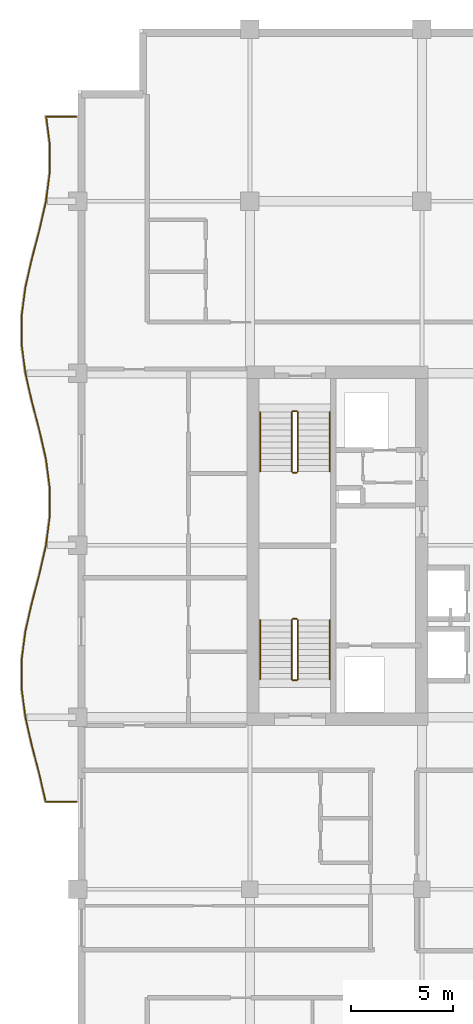
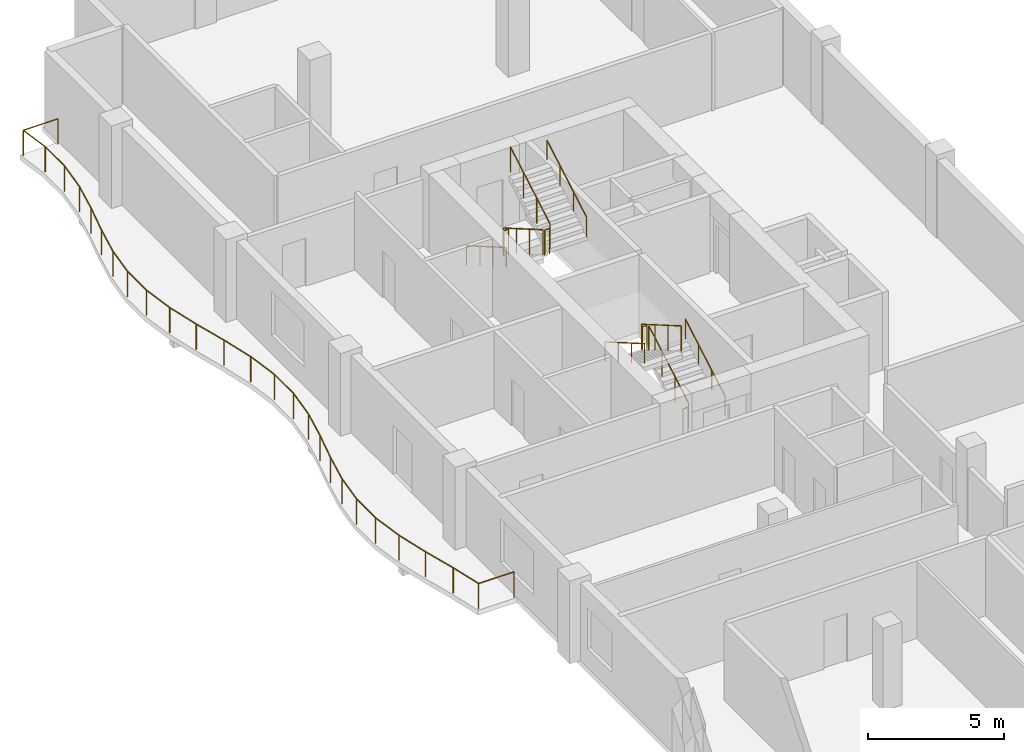
# One storey, part 12 of 12: 13 railings.
"""IFC4 building model written with IfcOpenShell, lengths in metres."""

from ifc_helpers import new_model, si_unit, direction, frame, origin, origin_2d, place, context, subcontext, project, spatial, circle, extrude, material, type_object, element, save


model = new_model("IFC4")

# Units and contexts
model_context = context("Model", 3, precision=1e-05, world=origin(), true_north=direction((0.0, 1.0)))
body_context = subcontext(model_context, "Body", "Model", "MODEL_VIEW")
ifc_project = project(units=[si_unit("LENGTHUNIT", "METRE"), si_unit("AREAUNIT", "SQUARE_METRE"), si_unit("VOLUMEUNIT", "CUBIC_METRE"), si_unit("PLANEANGLEUNIT", "RADIAN"), si_unit("MASSUNIT", "GRAM", prefix="KILO")], contexts=[model_context])

# Site, building, storey
site_placement = place(None, origin())
site = spatial("IfcSite", under=ifc_project, at=site_placement, CompositionType="ELEMENT")
building_placement = place(site_placement, origin())
building = spatial("IfcBuilding", under=site, at=building_placement, Name="Koriwani Terraces Tower", CompositionType="ELEMENT")
storey_placement = place(building_placement, frame((0.0, 0.0, 271.199951171875)))
storey = spatial("IfcBuildingStorey", under=building, at=storey_placement, Name="L67", CompositionType="ELEMENT", Elevation=271.199951171875)

# Railings
ifc_material = material(Name="Steel ASTM A572 Grade 50", Category="steel")
railing_type_1 = type_object("IfcRailingType", Name="GUARD_BALUSTRADE_1150", PredefinedType="BALUSTRADE", material=ifc_material)
railing_1_placement = place(storey_placement, frame((8.320068359375, 37.8798828125, 0.0)))
element("IfcRailing", 1, at=railing_1_placement, inside=storey, type_object=railing_type_1, Name="L67 Balcony Perimeter Safety Balustrade (W)", PredefinedType="BALUSTRADE", context=body_context, shape_type="SweptSolid", body=[
    extrude(circle(Radius=0.02392578125, at=origin_2d()), frame((0.0, 0.0, 1.1259765625), z_axis=(-1.0, 0.0, 0.0), x_axis=(0.0, -1.0, 0.0)), (0.0, 0.0, 1.0), 1.494140625),
    extrude(circle(Radius=0.02392578125, at=origin_2d()), frame((-1.494140625, 0.0, 1.1259765625), z_axis=(-0.221690258665, 0.97511713615, 0.0), x_axis=(-0.97511713615, -0.221690258665, 0.0)), (0.0, 0.0, 1.0), 1.373291015625),
    extrude(circle(Radius=0.02392578125, at=origin_2d()), frame((-1.798583984375, 1.339111328125, 1.1259765625), z_axis=(-0.254028314271, 0.967196782226, 0.0), x_axis=(-0.967196782226, -0.254028314271, 0.0)), (0.0, 0.0, 1.0), 1.447265625),
    extrude(circle(Radius=0.02392578125, at=origin_2d()), frame((-2.166259765625, 2.739013671875, 1.1259765625), z_axis=(-0.221480974814, 0.975164692652, 0.0), x_axis=(-0.975164692652, -0.221480974814, 0.0)), (0.0, 0.0, 1.0), 1.430908203125),
    extrude(circle(Radius=0.02392578125, at=origin_2d()), frame((-2.483154296875, 4.13427734375, 1.1259765625), z_axis=(-0.130157426935, 0.991493340479, 0.0), x_axis=(-0.991493340479, -0.130157426935, 0.0)), (0.0, 0.0, 1.0), 1.403076171875),
    extrude(circle(Radius=0.02392578125, at=origin_2d()), frame((-2.665771484375, 5.525390625, 1.1259765625), z_axis=(0.0, 1.0, 0.0), x_axis=(-1.0, 0.0, 0.0)), (0.0, 0.0, 1.0), 1.3896484375),
    extrude(circle(Radius=0.02392578125, at=origin_2d()), frame((-2.665771484375, 6.9150390625, 1.1259765625), z_axis=(0.130179886452, 0.991490391866, 0.0), x_axis=(-0.991490391866, 0.130179886452, 0.0)), (0.0, 0.0, 1.0), 1.40283203125),
    extrude(circle(Radius=0.02392578125, at=origin_2d()), frame((-2.483154296875, 8.305908203125, 1.1259765625), z_axis=(0.221480974814, 0.975164692652, 0.0), x_axis=(-0.975164692652, 0.221480974814, 0.0)), (0.0, 0.0, 1.0), 1.430908203125),
    extrude(circle(Radius=0.02392578125, at=origin_2d()), frame((-2.166259765625, 9.701171875, 1.1259765625), z_axis=(0.254028314271, 0.967196782226, 0.0), x_axis=(-0.967196782226, 0.254028314271, 0.0)), (0.0, 0.0, 1.0), 1.447265625),
    extrude(circle(Radius=0.02392578125, at=origin_2d()), frame((-1.798583984375, 11.10107421875, 1.1259765625), z_axis=(0.221628427149, 0.975131191317, 0.0), x_axis=(-0.975131191317, 0.221628427149, 0.0)), (0.0, 0.0, 1.0), 1.44091796875),
    extrude(circle(Radius=0.02392578125, at=origin_2d()), frame((-1.479248046875, 12.506103515625, 1.1259765625), z_axis=(0.12989004906, 0.991528403605, 0.0), x_axis=(-0.991528403605, 0.12989004906, 0.0)), (0.0, 0.0, 1.0), 1.4208984375),
    extrude(circle(Radius=0.02392578125, at=origin_2d()), frame((-1.294677734375, 13.9150390625, 1.1259765625), z_axis=(0.0, 1.0, 0.0), x_axis=(-1.0, 0.0, 0.0)), (0.0, 0.0, 1.0), 1.41015625),
    extrude(circle(Radius=0.02392578125, at=origin_2d()), frame((-1.294677734375, 15.3251953125, 1.1259765625), z_axis=(-0.12989004906, 0.991528403605, 0.0), x_axis=(-0.991528403605, -0.12989004906, 0.0)), (0.0, 0.0, 1.0), 1.4208984375),
    extrude(circle(Radius=0.02392578125, at=origin_2d()), frame((-1.479248046875, 16.734130859375, 1.1259765625), z_axis=(-0.221628427149, 0.975131191317, 0.0), x_axis=(-0.975131191317, -0.221628427149, 0.0)), (0.0, 0.0, 1.0), 1.44091796875),
    extrude(circle(Radius=0.02392578125, at=origin_2d()), frame((-1.798583984375, 18.13916015625, 1.1259765625), z_axis=(-0.254028314271, 0.967196782226, 0.0), x_axis=(-0.967196782226, -0.254028314271, 0.0)), (0.0, 0.0, 1.0), 1.447265625),
    extrude(circle(Radius=0.02392578125, at=origin_2d()), frame((-2.166259765625, 19.5390625, 1.1259765625), z_axis=(-0.221480974814, 0.975164692652, 0.0), x_axis=(-0.975164692652, -0.221480974814, 0.0)), (0.0, 0.0, 1.0), 1.430908203125),
    extrude(circle(Radius=0.02392578125, at=origin_2d()), frame((-2.483154296875, 20.934326171875, 1.1259765625), z_axis=(-0.130179886452, 0.991490391866, 0.0), x_axis=(-0.991490391866, -0.130179886452, 0.0)), (0.0, 0.0, 1.0), 1.40283203125),
    extrude(circle(Radius=0.02392578125, at=origin_2d()), frame((-2.665771484375, 22.3251953125, 1.1259765625), z_axis=(0.0, 1.0, 0.0), x_axis=(-1.0, 0.0, 0.0)), (0.0, 0.0, 1.0), 1.3896484375),
    extrude(circle(Radius=0.02392578125, at=origin_2d()), frame((-2.665771484375, 23.71484375, 1.1259765625), z_axis=(0.130157426935, 0.991493340479, 0.0), x_axis=(-0.991493340479, 0.130157426935, 0.0)), (0.0, 0.0, 1.0), 1.403076171875),
    extrude(circle(Radius=0.02392578125, at=origin_2d()), frame((-2.483154296875, 25.10595703125, 1.1259765625), z_axis=(0.221480974814, 0.975164692652, 0.0), x_axis=(-0.975164692652, 0.221480974814, 0.0)), (0.0, 0.0, 1.0), 1.430908203125),
    extrude(circle(Radius=0.02392578125, at=origin_2d()), frame((-2.166259765625, 26.501220703125, 1.1259765625), z_axis=(0.254028314271, 0.967196782226, 0.0), x_axis=(-0.967196782226, 0.254028314271, 0.0)), (0.0, 0.0, 1.0), 1.447265625),
    extrude(circle(Radius=0.02392578125, at=origin_2d()), frame((-1.798583984375, 27.901123046875, 1.1259765625), z_axis=(0.221665052023, 0.975122866469, 0.0), x_axis=(-0.975122866469, 0.221665052023, 0.0)), (0.0, 0.0, 1.0), 1.440673828125),
    extrude(circle(Radius=0.02392578125, at=origin_2d()), frame((-1.479248046875, 29.305908203125, 1.1259765625), z_axis=(0.12989004906, 0.991528403605, 0.0), x_axis=(-0.991528403605, 0.12989004906, 0.0)), (0.0, 0.0, 1.0), 1.4208984375),
    extrude(circle(Radius=0.02392578125, at=origin_2d()), frame((-1.294677734375, 30.71484375, 1.1259765625), z_axis=(0.0, 1.0, 0.0), x_axis=(-1.0, 0.0, 0.0)), (0.0, 0.0, 1.0), 1.410400390625),
    extrude(circle(Radius=0.02392578125, at=origin_2d()), frame((-1.294677734375, 32.125244140625, 1.1259765625), z_axis=(-0.129787776847, 0.991541795882, 0.0), x_axis=(-0.991541795882, -0.129787776847, 0.0)), (0.0, 0.0, 1.0), 1.326171875),
    extrude(circle(Radius=0.02392578125, at=origin_2d()), frame((-1.466796875, 33.440185546875, 1.1259765625), z_axis=(1.0, 0.0, 0.0), x_axis=(0.0, 1.0, 0.0)), (0.0, 0.0, 1.0), 1.466796875),
    extrude(circle(Radius=0.02099609375, at=origin_2d()), origin(), (0.0, 0.0, 1.0), 1.101806640625),
    extrude(circle(Radius=0.02099609375, at=origin_2d()), frame((-1.494140625, 0.0, 0.0)), (0.0, 0.0, 1.0), 1.101806640625),
    extrude(circle(Radius=0.02099609375, at=origin_2d()), frame((-1.798583984375, 1.339111328125, 0.0)), (0.0, 0.0, 1.0), 1.101806640625),
    extrude(circle(Radius=0.02099609375, at=origin_2d()), frame((-2.166259765625, 2.739013671875, 0.0)), (0.0, 0.0, 1.0), 1.101806640625),
    extrude(circle(Radius=0.02099609375, at=origin_2d()), frame((-2.483154296875, 4.13427734375, 0.0)), (0.0, 0.0, 1.0), 1.101806640625),
    extrude(circle(Radius=0.02099609375, at=origin_2d()), frame((-2.665771484375, 5.525390625, 0.0)), (0.0, 0.0, 1.0), 1.101806640625),
    extrude(circle(Radius=0.02099609375, at=origin_2d()), frame((-2.665771484375, 6.9150390625, 0.0)), (0.0, 0.0, 1.0), 1.101806640625),
    extrude(circle(Radius=0.02099609375, at=origin_2d()), frame((-2.483154296875, 8.305908203125, 0.0)), (0.0, 0.0, 1.0), 1.101806640625),
    extrude(circle(Radius=0.02099609375, at=origin_2d()), frame((-2.166259765625, 9.701171875, 0.0)), (0.0, 0.0, 1.0), 1.101806640625),
    extrude(circle(Radius=0.02099609375, at=origin_2d()), frame((-1.798583984375, 11.10107421875, 0.0)), (0.0, 0.0, 1.0), 1.101806640625),
    extrude(circle(Radius=0.02099609375, at=origin_2d()), frame((-1.479248046875, 12.506103515625, 0.0)), (0.0, 0.0, 1.0), 1.101806640625),
    extrude(circle(Radius=0.02099609375, at=origin_2d()), frame((-1.294677734375, 13.9150390625, 0.0)), (0.0, 0.0, 1.0), 1.101806640625),
    extrude(circle(Radius=0.02099609375, at=origin_2d()), frame((-1.294677734375, 15.3251953125, 0.0)), (0.0, 0.0, 1.0), 1.101806640625),
    extrude(circle(Radius=0.02099609375, at=origin_2d()), frame((-1.479248046875, 16.734130859375, 0.0)), (0.0, 0.0, 1.0), 1.101806640625),
    extrude(circle(Radius=0.02099609375, at=origin_2d()), frame((-1.798583984375, 18.13916015625, 0.0)), (0.0, 0.0, 1.0), 1.101806640625),
    extrude(circle(Radius=0.02099609375, at=origin_2d()), frame((-2.166259765625, 19.5390625, 0.0)), (0.0, 0.0, 1.0), 1.101806640625),
    extrude(circle(Radius=0.02099609375, at=origin_2d()), frame((-2.483154296875, 20.934326171875, 0.0)), (0.0, 0.0, 1.0), 1.101806640625),
    extrude(circle(Radius=0.02099609375, at=origin_2d()), frame((-2.665771484375, 22.3251953125, 0.0)), (0.0, 0.0, 1.0), 1.101806640625),
    extrude(circle(Radius=0.02099609375, at=origin_2d()), frame((-2.665771484375, 23.71484375, 0.0)), (0.0, 0.0, 1.0), 1.101806640625),
    extrude(circle(Radius=0.02099609375, at=origin_2d()), frame((-2.483154296875, 25.10595703125, 0.0)), (0.0, 0.0, 1.0), 1.101806640625),
    extrude(circle(Radius=0.02099609375, at=origin_2d()), frame((-2.166259765625, 26.501220703125, 0.0)), (0.0, 0.0, 1.0), 1.101806640625),
    extrude(circle(Radius=0.02099609375, at=origin_2d()), frame((-1.798583984375, 27.901123046875, 0.0)), (0.0, 0.0, 1.0), 1.101806640625),
    extrude(circle(Radius=0.02099609375, at=origin_2d()), frame((-1.479248046875, 29.305908203125, 0.0)), (0.0, 0.0, 1.0), 1.101806640625),
    extrude(circle(Radius=0.02099609375, at=origin_2d()), frame((-1.294677734375, 30.71484375, 0.0)), (0.0, 0.0, 1.0), 1.101806640625),
    extrude(circle(Radius=0.02099609375, at=origin_2d()), frame((-1.294677734375, 32.125244140625, 0.0)), (0.0, 0.0, 1.0), 1.101806640625),
    extrude(circle(Radius=0.02099609375, at=origin_2d()), frame((-1.466796875, 33.440185546875, 0.0)), (0.0, 0.0, 1.0), 1.101806640625),
    extrude(circle(Radius=0.02099609375, at=origin_2d()), frame((0.0, 33.440185546875, 0.0)), (0.0, 0.0, 1.0), 1.101806640625),
])
railing_type_2 = type_object("IfcRailingType", Name="GUARD_STAIR_WELL_1120", PredefinedType="GUARDRAIL", material=ifc_material)
railing_2_placement = place(storey_placement, frame((19.14990234375, 43.85009765625, 0.168212890625)))
element("IfcRailing", 2, at=railing_2_placement, inside=storey, type_object=railing_type_2, Name="L67 ST-W1 stair guard 1", PredefinedType="GUARDRAIL", context=body_context, shape_type="SweptSolid", body=[
    extrude(circle(Radius=0.02392578125, at=origin_2d()), frame((0.0, 0.0, 1.1259765625), z_axis=(0.0, 0.865038774852, 0.501705010941), x_axis=(-1.0, 0.0, 0.0)), (0.0, 0.0, 1.0), 3.352294921875),
    extrude(circle(Radius=0.02099609375, at=origin_2d()), origin(), (0.0, 0.0, 1.0), 1.101806640625),
    extrude(circle(Radius=0.02099609375, at=origin_2d()), frame((0.0, 0.966552734375, 0.560546875)), (0.0, 0.0, 1.0), 1.101806640625),
    extrude(circle(Radius=0.02099609375, at=origin_2d()), frame((0.0, 1.933349609375, 1.121337890625)), (0.0, 0.0, 1.0), 1.101806640625),
    extrude(circle(Radius=0.02099609375, at=origin_2d()), frame((0.0, 2.89990234375, 1.681884765625)), (0.0, 0.0, 1.0), 1.101806640625),
])
railing_3_placement = place(storey_placement, frame((19.10009765625, 46.800048828125, 1.85009765625)))
element("IfcRailing", 3, at=railing_3_placement, inside=storey, type_object=railing_type_2, Name="L67 ST-W1 stair guard 2", PredefinedType="GUARDRAIL", context=body_context, shape_type="SweptSolid", body=[
    extrude(circle(Radius=0.02392578125, at=origin_2d()), frame((0.0, 0.0, 1.1259765625), z_axis=(-1.0, 0.0, 0.0), x_axis=(0.0, -1.0, 0.0)), (0.0, 0.0, 1.0), 0.2001953125),
    extrude(circle(Radius=0.02099609375, at=origin_2d()), origin(), (0.0, 0.0, 1.0), 1.101806640625),
    extrude(circle(Radius=0.02099609375, at=origin_2d()), frame((-0.2001953125, 0.0, 0.0)), (0.0, 0.0, 1.0), 1.101806640625),
])
railing_4_placement = place(storey_placement, frame((18.85009765625, 46.75, 2.018310546875)))
element("IfcRailing", 4, at=railing_4_placement, inside=storey, type_object=railing_type_2, Name="L67 ST-W1 stair guard 3", PredefinedType="GUARDRAIL", context=body_context, shape_type="SweptSolid", body=[
    extrude(circle(Radius=0.02392578125, at=origin_2d()), frame((0.0, 0.0, 1.1259765625), z_axis=(0.0, -0.86507038078, 0.501650512107), x_axis=(1.0, 0.0, 0.0)), (0.0, 0.0, 1.0), 3.352294921875),
    extrude(circle(Radius=0.02099609375, at=origin_2d()), origin(), (0.0, 0.0, 1.0), 1.101806640625),
    extrude(circle(Radius=0.02099609375, at=origin_2d()), frame((0.0, -0.966552734375, 0.560546875)), (0.0, 0.0, 1.0), 1.101806640625),
    extrude(circle(Radius=0.02099609375, at=origin_2d()), frame((0.0, -1.933349609375, 1.12109375)), (0.0, 0.0, 1.0), 1.101806640625),
    extrude(circle(Radius=0.02099609375, at=origin_2d()), frame((0.0, -2.89990234375, 1.681640625)), (0.0, 0.0, 1.0), 1.101806640625),
])
railing_5_placement = place(storey_placement, frame((19.10009765625, 43.800048828125, 0.0)))
element("IfcRailing", 5, at=railing_5_placement, inside=storey, type_object=railing_type_2, Name="L67 ST-W1 stair guard 4", PredefinedType="GUARDRAIL", context=body_context, shape_type="SweptSolid", body=[
    extrude(circle(Radius=0.02392578125, at=origin_2d()), frame((0.0, 0.0, 1.1259765625), z_axis=(-1.0, 0.0, 0.0), x_axis=(0.0, -1.0, 0.0)), (0.0, 0.0, 1.0), 0.2001953125),
    extrude(circle(Radius=0.02099609375, at=origin_2d()), origin(), (0.0, 0.0, 1.0), 1.101806640625),
    extrude(circle(Radius=0.02099609375, at=origin_2d()), frame((-0.2001953125, 0.0, 0.0)), (0.0, 0.0, 1.0), 1.101806640625),
])
railing_6_placement = place(storey_placement, frame((18.85009765625, 56.89990234375, 0.168212890625)))
element("IfcRailing", 6, at=railing_6_placement, inside=storey, type_object=railing_type_2, Name="L67 ST-W2 stair guard 1", PredefinedType="GUARDRAIL", context=body_context, shape_type="SweptSolid", body=[
    extrude(circle(Radius=0.02392578125, at=origin_2d()), frame((0.0, 0.0, 1.1259765625), z_axis=(0.0, -0.865038774852, 0.501705010941), x_axis=(1.0, 0.0, 0.0)), (0.0, 0.0, 1.0), 3.352294921875),
    extrude(circle(Radius=0.02099609375, at=origin_2d()), origin(), (0.0, 0.0, 1.0), 1.101806640625),
    extrude(circle(Radius=0.02099609375, at=origin_2d()), frame((0.0, -0.966552734375, 0.560546875)), (0.0, 0.0, 1.0), 1.101806640625),
    extrude(circle(Radius=0.02099609375, at=origin_2d()), frame((0.0, -1.933349609375, 1.121337890625)), (0.0, 0.0, 1.0), 1.101806640625),
    extrude(circle(Radius=0.02099609375, at=origin_2d()), frame((0.0, -2.89990234375, 1.681884765625)), (0.0, 0.0, 1.0), 1.101806640625),
])
railing_7_placement = place(storey_placement, frame((18.89990234375, 53.949951171875, 1.85009765625)))
element("IfcRailing", 7, at=railing_7_placement, inside=storey, type_object=railing_type_2, Name="L67 ST-W2 stair guard 2", PredefinedType="GUARDRAIL", context=body_context, shape_type="SweptSolid", body=[
    extrude(circle(Radius=0.02392578125, at=origin_2d()), frame((0.0, 0.0, 1.1259765625), z_axis=(1.0, 0.0, 0.0), x_axis=(0.0, 1.0, 0.0)), (0.0, 0.0, 1.0), 0.2001953125),
    extrude(circle(Radius=0.02099609375, at=origin_2d()), origin(), (0.0, 0.0, 1.0), 1.101806640625),
    extrude(circle(Radius=0.02099609375, at=origin_2d()), frame((0.2001953125, 0.0, 0.0)), (0.0, 0.0, 1.0), 1.101806640625),
])
railing_8_placement = place(storey_placement, frame((19.14990234375, 54.0, 2.018310546875)))
element("IfcRailing", 8, at=railing_8_placement, inside=storey, type_object=railing_type_2, Name="L67 ST-W2 stair guard 3", PredefinedType="GUARDRAIL", context=body_context, shape_type="SweptSolid", body=[
    extrude(circle(Radius=0.02392578125, at=origin_2d()), frame((0.0, 0.0, 1.1259765625), z_axis=(0.0, 0.86507038078, 0.501650512107), x_axis=(-1.0, 0.0, 0.0)), (0.0, 0.0, 1.0), 3.352294921875),
    extrude(circle(Radius=0.02099609375, at=origin_2d()), origin(), (0.0, 0.0, 1.0), 1.101806640625),
    extrude(circle(Radius=0.02099609375, at=origin_2d()), frame((0.0, 0.966552734375, 0.560546875)), (0.0, 0.0, 1.0), 1.101806640625),
    extrude(circle(Radius=0.02099609375, at=origin_2d()), frame((0.0, 1.933349609375, 1.12109375)), (0.0, 0.0, 1.0), 1.101806640625),
    extrude(circle(Radius=0.02099609375, at=origin_2d()), frame((0.0, 2.89990234375, 1.681640625)), (0.0, 0.0, 1.0), 1.101806640625),
])
railing_9_placement = place(storey_placement, frame((18.89990234375, 56.949951171875, 0.0)))
element("IfcRailing", 9, at=railing_9_placement, inside=storey, type_object=railing_type_2, Name="L67 ST-W2 stair guard 4", PredefinedType="GUARDRAIL", context=body_context, shape_type="SweptSolid", body=[
    extrude(circle(Radius=0.02392578125, at=origin_2d()), frame((0.0, 0.0, 1.1259765625), z_axis=(1.0, 0.0, 0.0), x_axis=(0.0, 1.0, 0.0)), (0.0, 0.0, 1.0), 0.2001953125),
    extrude(circle(Radius=0.02099609375, at=origin_2d()), origin(), (0.0, 0.0, 1.0), 1.101806640625),
    extrude(circle(Radius=0.02099609375, at=origin_2d()), frame((0.2001953125, 0.0, 0.0)), (0.0, 0.0, 1.0), 1.101806640625),
])
railing_type_3 = type_object("IfcRailingType", Name="HANDRAIL_STAIR_920", PredefinedType="HANDRAIL", material=ifc_material)
railing_10_placement = place(storey_placement, frame((20.699951171875, 43.85009765625, 0.168212890625)))
element("IfcRailing", 10, at=railing_10_placement, inside=storey, type_object=railing_type_3, Name="L67 ST-W1 stair handrail 1", PredefinedType="HANDRAIL", context=body_context, shape_type="SweptSolid", body=[
    extrude(circle(Radius=0.02392578125, at=origin_2d()), frame((0.0, 0.0, 0.8759765625), z_axis=(0.0, 0.865038774852, 0.501705010941), x_axis=(-1.0, 0.0, 0.0)), (0.0, 0.0, 1.0), 3.352294921875),
    extrude(circle(Radius=0.02099609375, at=origin_2d()), origin(), (0.0, 0.0, 1.0), 0.851806640625),
    extrude(circle(Radius=0.02099609375, at=origin_2d()), frame((0.0, 0.966552734375, 0.560546875)), (0.0, 0.0, 1.0), 0.851806640625),
    extrude(circle(Radius=0.02099609375, at=origin_2d()), frame((0.0, 1.933349609375, 1.121337890625)), (0.0, 0.0, 1.0), 0.851806640625),
    extrude(circle(Radius=0.02099609375, at=origin_2d()), frame((0.0, 2.89990234375, 1.681884765625)), (0.0, 0.0, 1.0), 0.851806640625),
])
railing_11_placement = place(storey_placement, frame((17.300048828125, 46.75, 2.018310546875)))
element("IfcRailing", 11, at=railing_11_placement, inside=storey, type_object=railing_type_3, Name="L67 ST-W1 stair handrail 2", PredefinedType="HANDRAIL", context=body_context, shape_type="SweptSolid", body=[
    extrude(circle(Radius=0.02392578125, at=origin_2d()), frame((0.0, 0.0, 0.8759765625), z_axis=(0.0, -0.86507038078, 0.501650512107), x_axis=(1.0, 0.0, 0.0)), (0.0, 0.0, 1.0), 3.352294921875),
    extrude(circle(Radius=0.02099609375, at=origin_2d()), origin(), (0.0, 0.0, 1.0), 0.851806640625),
    extrude(circle(Radius=0.02099609375, at=origin_2d()), frame((0.0, -0.966552734375, 0.560546875)), (0.0, 0.0, 1.0), 0.851806640625),
    extrude(circle(Radius=0.02099609375, at=origin_2d()), frame((0.0, -1.933349609375, 1.12109375)), (0.0, 0.0, 1.0), 0.851806640625),
    extrude(circle(Radius=0.02099609375, at=origin_2d()), frame((0.0, -2.89990234375, 1.681640625)), (0.0, 0.0, 1.0), 0.851806640625),
])
railing_12_placement = place(storey_placement, frame((17.300048828125, 56.89990234375, 0.168212890625)))
element("IfcRailing", 12, at=railing_12_placement, inside=storey, type_object=railing_type_3, Name="L67 ST-W2 stair handrail 1", PredefinedType="HANDRAIL", context=body_context, shape_type="SweptSolid", body=[
    extrude(circle(Radius=0.02392578125, at=origin_2d()), frame((0.0, 0.0, 0.8759765625), z_axis=(0.0, -0.865038774852, 0.501705010941), x_axis=(1.0, 0.0, 0.0)), (0.0, 0.0, 1.0), 3.352294921875),
    extrude(circle(Radius=0.02099609375, at=origin_2d()), origin(), (0.0, 0.0, 1.0), 0.851806640625),
    extrude(circle(Radius=0.02099609375, at=origin_2d()), frame((0.0, -0.966552734375, 0.560546875)), (0.0, 0.0, 1.0), 0.851806640625),
    extrude(circle(Radius=0.02099609375, at=origin_2d()), frame((0.0, -1.933349609375, 1.121337890625)), (0.0, 0.0, 1.0), 0.851806640625),
    extrude(circle(Radius=0.02099609375, at=origin_2d()), frame((0.0, -2.89990234375, 1.681884765625)), (0.0, 0.0, 1.0), 0.851806640625),
])
railing_13_placement = place(storey_placement, frame((20.699951171875, 54.0, 2.018310546875)))
element("IfcRailing", 13, at=railing_13_placement, inside=storey, type_object=railing_type_3, Name="L67 ST-W2 stair handrail 2", PredefinedType="HANDRAIL", context=body_context, shape_type="SweptSolid", body=[
    extrude(circle(Radius=0.02392578125, at=origin_2d()), frame((0.0, 0.0, 0.8759765625), z_axis=(0.0, 0.86507038078, 0.501650512107), x_axis=(-1.0, 0.0, 0.0)), (0.0, 0.0, 1.0), 3.352294921875),
    extrude(circle(Radius=0.02099609375, at=origin_2d()), origin(), (0.0, 0.0, 1.0), 0.851806640625),
    extrude(circle(Radius=0.02099609375, at=origin_2d()), frame((0.0, 0.966552734375, 0.560546875)), (0.0, 0.0, 1.0), 0.851806640625),
    extrude(circle(Radius=0.02099609375, at=origin_2d()), frame((0.0, 1.933349609375, 1.12109375)), (0.0, 0.0, 1.0), 0.851806640625),
    extrude(circle(Radius=0.02099609375, at=origin_2d()), frame((0.0, 2.89990234375, 1.681640625)), (0.0, 0.0, 1.0), 0.851806640625),
])

save(model, "model.ifc")
